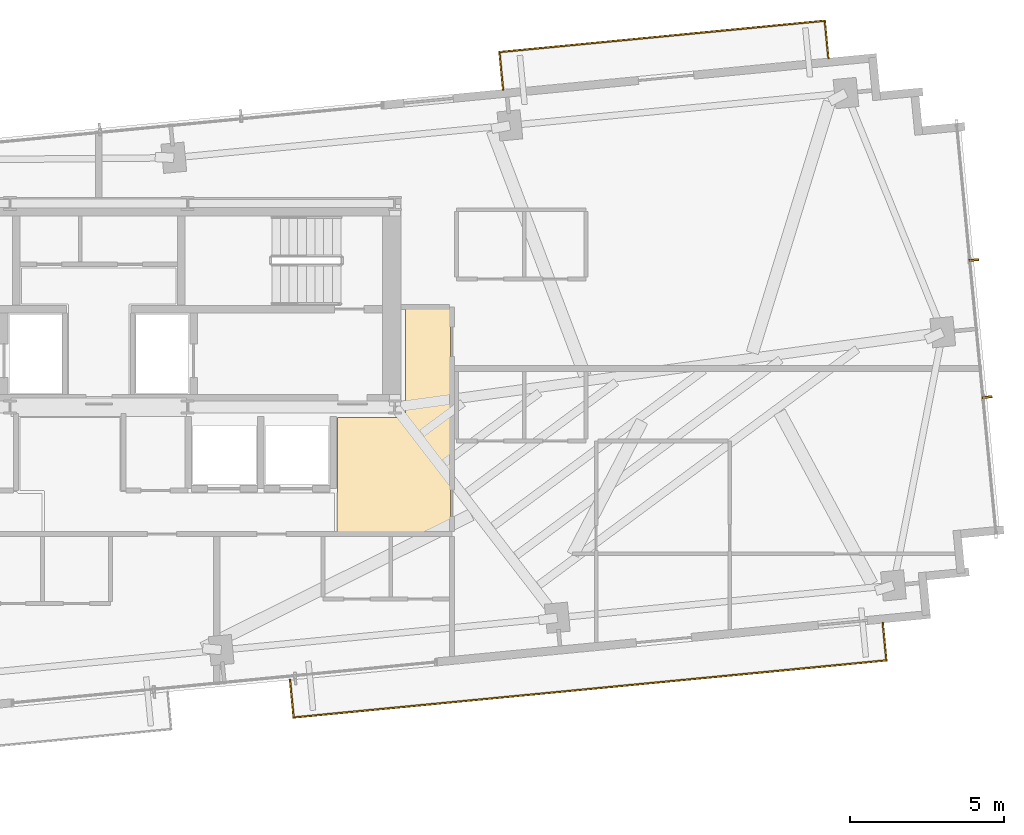
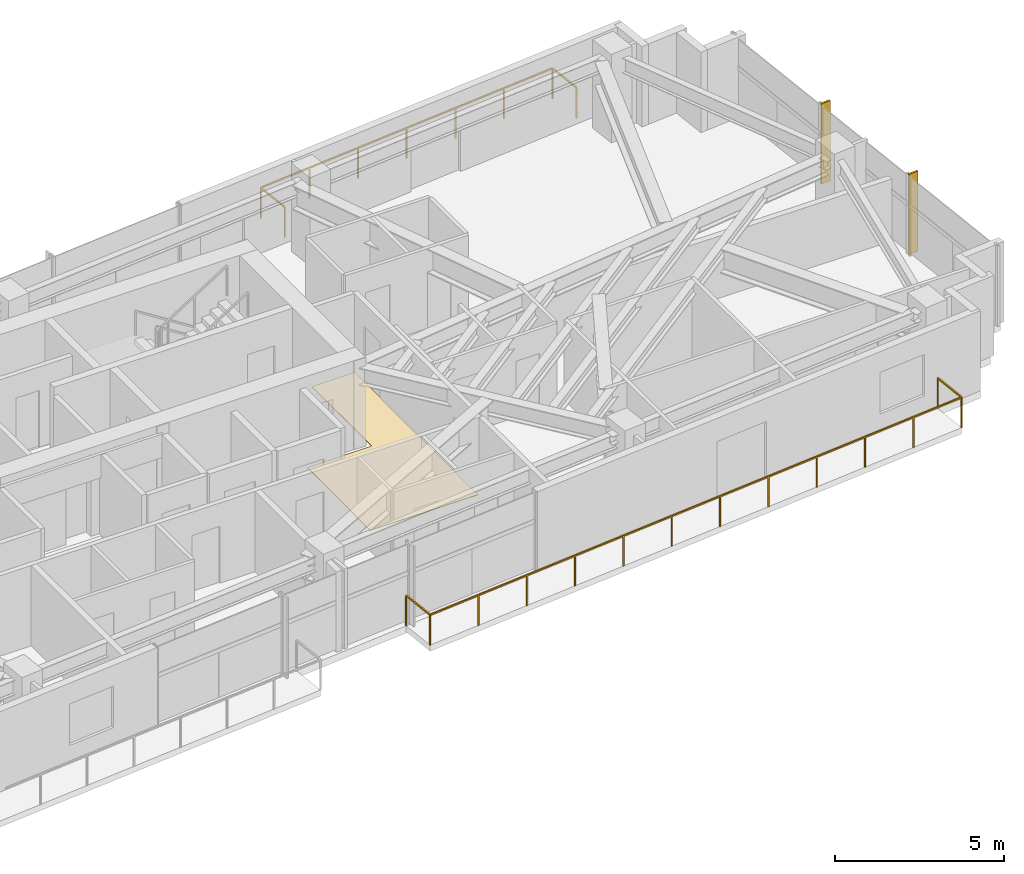
# One storey, part 18 of 18: 2 railings, 2 shading devices, 1 covering.
"""IFC4 building model written with IfcOpenShell, lengths in metres."""

from ifc_helpers import new_model, si_unit, direction, frame, origin, origin_2d, place, context, subcontext, project, spatial, polyline, rectangle, outline, extrude, source, transform, mapped, material, layer, layer_set, type_object, type_shapes, element, save


model = new_model("IFC4")

# Units and contexts
model_context = context("Model", 3, precision=1e-05, world=origin(), true_north=direction((0.0, 1.0)))
body_context = subcontext(model_context, "Body", "Model", "MODEL_VIEW")
ifc_project = project(units=[si_unit("LENGTHUNIT", "METRE"), si_unit("AREAUNIT", "SQUARE_METRE"), si_unit("VOLUMEUNIT", "CUBIC_METRE"), si_unit("PLANEANGLEUNIT", "RADIAN"), si_unit("MASSUNIT", "GRAM", prefix="KILO")], contexts=[model_context])

# Site, building, storey
site_placement = place(None, origin())
site = spatial("IfcSite", under=ifc_project, at=site_placement, CompositionType="ELEMENT")
building_placement = place(site_placement, origin())
building = spatial("IfcBuilding", under=site, at=building_placement, Name="Astriad Promenade Condominiums", CompositionType="ELEMENT")
storey_placement = place(building_placement, frame((0.0, 0.0, 208.199951171875)))
storey = spatial("IfcBuildingStorey", under=building, at=storey_placement, Name="L60", CompositionType="ELEMENT", Elevation=208.199951171875)

# Covering
ifc_material_1 = material(Name="Polished Lakefront Terrazzo Flooring")
ifc_layer = layer(ifc_material_1, 0.02001953125)
ifc_layer_set = layer_set([ifc_layer], Name="Polished Lakefront Terrazzo Flooring")
covering_type = type_object("IfcCoveringType", Name="COV-FLOR-TERRAZZO-20", PredefinedType="FLOORING", material=ifc_layer_set)
covering_placement = place(storey_placement, origin())
element("IfcCovering", 1, at=covering_placement, inside=storey, type_object=covering_type, Name="FLR-L60-COR-2", PredefinedType="FLOORING", context=body_context, shape_type="SweptSolid", body=[
    extrude(outline(polyline([(43.72998046875, 14.62353515625), (43.73095703125, 14.62451171875), (43.7333984375, 14.627685546875), (43.7353515625, 14.631103515625), (43.737060546875, 14.634765625), (43.73828125, 14.638427734375), (43.7392578125, 14.64208984375), (43.73974609375, 14.64599609375), (43.739990234375, 14.64990234375), (43.739990234375, 17.06005859375), (45.89990234375, 17.06005859375), (45.90380859375, 17.060302734375), (45.90771484375, 17.060791015625), (45.91162109375, 17.061767578125), (45.915283203125, 17.06298828125), (45.9189453125, 17.064697265625), (45.922119140625, 17.066650390625), (45.92529296875, 17.069091796875), (45.92822265625, 17.07177734375), (45.930908203125, 17.07470703125), (45.933349609375, 17.077880859375), (45.935302734375, 17.0810546875), (45.93701171875, 17.084716796875), (45.938232421875, 17.08837890625), (45.939208984375, 17.09228515625), (45.939697265625, 17.09619140625), (45.93994140625, 17.10009765625), (45.93994140625, 20.610107421875), (47.409912109375, 20.610107421875), (47.409912109375, 13.320068359375), (43.72998046875, 13.320068359375), (43.72998046875, 14.62353515625)])), origin(), (0.0, 0.0, 1.0), 0.02001953125),
])

# Shading devices
ifc_material_2 = material(Name="Anodised aluminium 6063-T6 Black Fin", Category="aluminium")
shading_device_type = type_object("IfcShadingDeviceType", Name="FIN-BLACK-260", PredefinedType="USERDEFINED", material=ifc_material_2)
shared_shape_1 = source(origin(), body_context, "Body", "SweptSolid", [
    extrude(rectangle(XDim=0.06494140625, YDim=0.320068359375, at=origin_2d()), origin(), (0.0, 0.0, 1.0), 2.89990234375),
])
type_shapes(shading_device_type, [shared_shape_1])
for number, where, z_axis, x_axis, name in (
    (2, (64.37841796875, 22.16796875, 0.0), (0.0, 0.0, 1.0), (0.09584575252, -0.995396198367, 0.0), "CW-L60-E-FIN-01"),
    (3, (64.806640625, 17.721923828125, 0.0), (0.0, 0.0, 1.0), (0.09584575252, -0.995396198367, 0.0), "CW-L60-E-FIN-02"),
):
    element("IfcShadingDevice", number, at=place(storey_placement, frame(where, z_axis=z_axis, x_axis=x_axis)), inside=storey, type_object=shading_device_type, Name=name, ObjectType="FIN", PredefinedType="USERDEFINED", context=body_context, shape_type="MappedRepresentation", body=[
        mapped(shared_shape_1, transform((0.0, 0.0, 0.0), scale=1.0)),
    ])

# Railings
ifc_material_3 = material(Name="Laminated Glass and Stainless Steel Balustrade", Category="steel")
railing_type = type_object("IfcRailingType", Name="GRD-BALC-1120", PredefinedType="BALUSTRADE", material=ifc_material_3)
shared_shape_2 = source(origin(), body_context, "Body", "SweptSolid", [
    extrude(rectangle(XDim=0.048095703125, YDim=0.048095703125, at=origin_2d()), frame((0.0, 0.0, 1.09619140625), z_axis=(0.0958382164, -0.995396923984, 0.0), x_axis=(0.995396923984, 0.0958382164, 0.0)), (0.0, 0.0, 1.0), 1.22021484375),
    extrude(rectangle(XDim=0.048095703125, YDim=0.048095703125, at=origin_2d()), frame((0.116943359375, -1.214599609375, 1.09619140625), z_axis=(0.995395724454, 0.09585067417, 0.0), x_axis=(-0.09585067417, 0.995395724454, 0.0)), (0.0, 0.0, 1.0), 19.31201171875),
    extrude(rectangle(XDim=0.048095703125, YDim=0.048095703125, at=origin_2d()), frame((19.340087890625, 0.636474609375, 1.09619140625), z_axis=(-0.095857307208, 0.99539508571, 0.0), x_axis=(-0.99539508571, -0.095857307208, 0.0)), (0.0, 0.0, 1.0), 1.219970703125),
    extrude(rectangle(XDim=0.0419921875, YDim=0.0419921875, at=origin_2d()), origin(), (0.0, 0.0, 1.0), 1.072021484375),
    extrude(rectangle(XDim=0.0419921875, YDim=0.0419921875, at=origin_2d()), frame((0.116943359375, -1.214599609375, 0.0)), (0.0, 0.0, 1.0), 1.072021484375),
    extrude(rectangle(XDim=0.0419921875, YDim=0.0419921875, at=origin_2d()), frame((1.864501953125, -1.04638671875, 0.0)), (0.0, 0.0, 1.0), 1.072021484375),
    extrude(rectangle(XDim=0.0419921875, YDim=0.0419921875, at=origin_2d()), frame((3.612060546875, -0.8779296875, 0.0)), (0.0, 0.0, 1.0), 1.072021484375),
    extrude(rectangle(XDim=0.0419921875, YDim=0.0419921875, at=origin_2d()), frame((5.359619140625, -0.709716796875, 0.0)), (0.0, 0.0, 1.0), 1.072021484375),
    extrude(rectangle(XDim=0.0419921875, YDim=0.0419921875, at=origin_2d()), frame((7.107177734375, -0.54150390625, 0.0)), (0.0, 0.0, 1.0), 1.072021484375),
    extrude(rectangle(XDim=0.0419921875, YDim=0.0419921875, at=origin_2d()), frame((8.854736328125, -0.373291015625, 0.0)), (0.0, 0.0, 1.0), 1.072021484375),
    extrude(rectangle(XDim=0.0419921875, YDim=0.0419921875, at=origin_2d()), frame((10.602294921875, -0.204833984375, 0.0)), (0.0, 0.0, 1.0), 1.072021484375),
    extrude(rectangle(XDim=0.0419921875, YDim=0.0419921875, at=origin_2d()), frame((12.349853515625, -0.03662109375, 0.0)), (0.0, 0.0, 1.0), 1.072021484375),
    extrude(rectangle(XDim=0.0419921875, YDim=0.0419921875, at=origin_2d()), frame((14.097412109375, 0.131591796875, 0.0)), (0.0, 0.0, 1.0), 1.072021484375),
    extrude(rectangle(XDim=0.0419921875, YDim=0.0419921875, at=origin_2d()), frame((15.844970703125, 0.2998046875, 0.0)), (0.0, 0.0, 1.0), 1.072021484375),
    extrude(rectangle(XDim=0.0419921875, YDim=0.0419921875, at=origin_2d()), frame((17.592529296875, 0.46826171875, 0.0)), (0.0, 0.0, 1.0), 1.072021484375),
    extrude(rectangle(XDim=0.0419921875, YDim=0.0419921875, at=origin_2d()), frame((19.340087890625, 0.636474609375, 0.0)), (0.0, 0.0, 1.0), 1.072021484375),
    extrude(rectangle(XDim=0.0419921875, YDim=0.0419921875, at=origin_2d()), frame((19.22314453125, 1.850830078125, 0.0)), (0.0, 0.0, 1.0), 1.072021484375),
])
railing_1_placement = place(storey_placement, frame((42.199951171875, 8.54638671875, 0.0)))
element("IfcRailing", 4, at=railing_1_placement, inside=storey, type_object=railing_type, Name="GRD-BALC-L60-SE", PredefinedType="BALUSTRADE", context=body_context, shape_type="MappedRepresentation", body=[
    mapped(shared_shape_2, transform((0.0, 0.0, 0.0), scale=1.0)),
])
shared_shape_3 = source(origin(), body_context, "Body", "SweptSolid", [
    extrude(rectangle(XDim=0.048095703125, YDim=0.048095703125, at=origin_2d()), frame((0.0, 0.0, 1.09619140625), z_axis=(-0.095857307208, 0.99539508571, 0.0), x_axis=(-0.99539508571, -0.095857307208, 0.0)), (0.0, 0.0, 1.0), 1.219970703125),
    extrude(rectangle(XDim=0.048095703125, YDim=0.048095703125, at=origin_2d()), frame((-0.116943359375, 1.21435546875, 1.09619140625), z_axis=(-0.995394712355, -0.09586118409, 0.0), x_axis=(0.09586118409, -0.995394712355, 0.0)), (0.0, 0.0, 1.0), 10.599853515625),
    extrude(rectangle(XDim=0.048095703125, YDim=0.048095703125, at=origin_2d()), frame((-10.66796875, 0.1982421875, 1.09619140625), z_axis=(0.095857307208, -0.99539508571, 0.0), x_axis=(0.99539508571, 0.095857307208, 0.0)), (0.0, 0.0, 1.0), 1.219970703125),
    extrude(rectangle(XDim=0.0419921875, YDim=0.0419921875, at=origin_2d()), origin(), (0.0, 0.0, 1.0), 1.072021484375),
    extrude(rectangle(XDim=0.0419921875, YDim=0.0419921875, at=origin_2d()), frame((-0.116943359375, 1.21435546875, 0.0)), (0.0, 0.0, 1.0), 1.072021484375),
    extrude(rectangle(XDim=0.0419921875, YDim=0.0419921875, at=origin_2d()), frame((-1.87548828125, 1.044921875, 0.0)), (0.0, 0.0, 1.0), 1.072021484375),
    extrude(rectangle(XDim=0.0419921875, YDim=0.0419921875, at=origin_2d()), frame((-3.634033203125, 0.875732421875, 0.0)), (0.0, 0.0, 1.0), 1.072021484375),
    extrude(rectangle(XDim=0.0419921875, YDim=0.0419921875, at=origin_2d()), frame((-5.392578125, 0.706298828125, 0.0)), (0.0, 0.0, 1.0), 1.072021484375),
    extrude(rectangle(XDim=0.0419921875, YDim=0.0419921875, at=origin_2d()), frame((-7.15087890625, 0.536865234375, 0.0)), (0.0, 0.0, 1.0), 1.072021484375),
    extrude(rectangle(XDim=0.0419921875, YDim=0.0419921875, at=origin_2d()), frame((-8.909423828125, 0.36767578125, 0.0)), (0.0, 0.0, 1.0), 1.072021484375),
    extrude(rectangle(XDim=0.0419921875, YDim=0.0419921875, at=origin_2d()), frame((-10.66796875, 0.1982421875, 0.0)), (0.0, 0.0, 1.0), 1.072021484375),
    extrude(rectangle(XDim=0.0419921875, YDim=0.0419921875, at=origin_2d()), frame((-10.551025390625, -1.01611328125, 0.0)), (0.0, 0.0, 1.0), 1.072021484375),
])
type_shapes(railing_type, [shared_shape_2, shared_shape_3])
railing_2_placement = place(storey_placement, frame((59.659423828125, 28.712646484375, 0.0)))
element("IfcRailing", 5, at=railing_2_placement, inside=storey, type_object=railing_type, Name="GRD-BALC-L60-NE", PredefinedType="BALUSTRADE", context=body_context, shape_type="MappedRepresentation", body=[
    mapped(shared_shape_3, transform((0.0, 0.0, 0.0), scale=1.0)),
])

save(model, "model.ifc")
